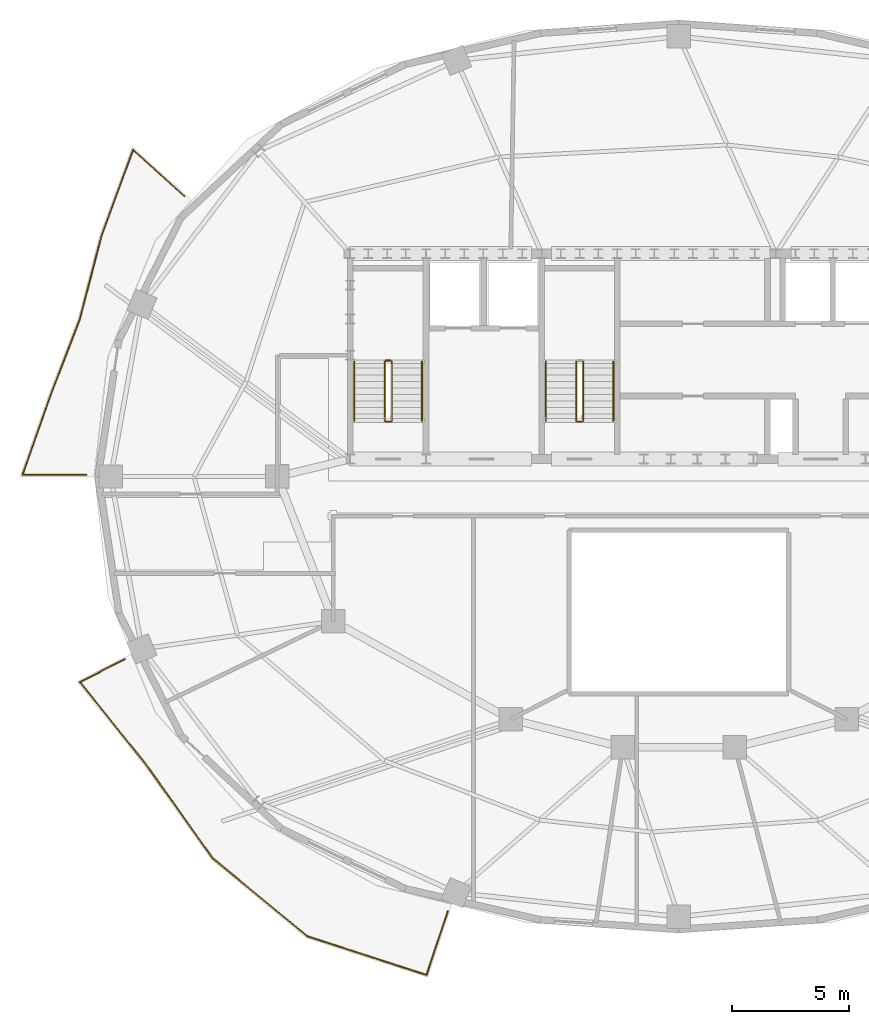
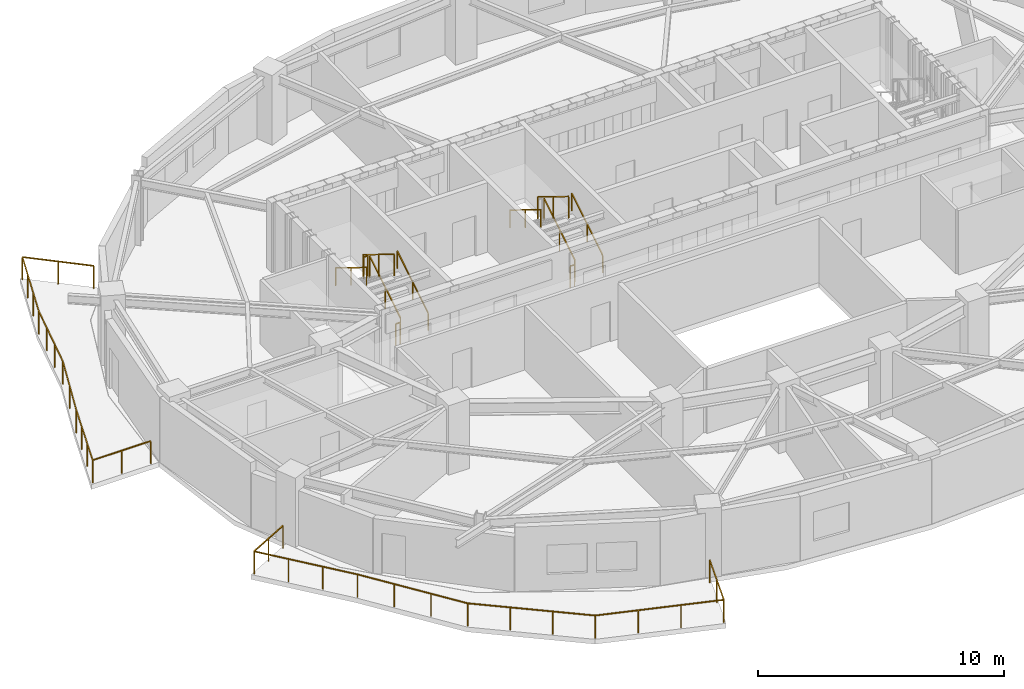
# One storey, part 6 of 9: 13 railings.
"""IFC4 building model written with IfcOpenShell, lengths in metres."""

from ifc_helpers import new_model, si_unit, direction, frame, origin, origin_2d, place, context, subcontext, project, spatial, rectangle, extrude, material, type_object, element, save


model = new_model("IFC4")

# Units and contexts
model_context = context("Model", 3, precision=1e-05, world=origin(), true_north=direction((0.0, 1.0)))
body_context = subcontext(model_context, "Body", "Model", "MODEL_VIEW")
ifc_project = project(units=[si_unit("LENGTHUNIT", "METRE"), si_unit("AREAUNIT", "SQUARE_METRE"), si_unit("VOLUMEUNIT", "CUBIC_METRE"), si_unit("PLANEANGLEUNIT", "RADIAN"), si_unit("MASSUNIT", "GRAM", prefix="KILO")], contexts=[model_context])

# Site, building, storey
site_placement = place(None, origin())
site = spatial("IfcSite", under=ifc_project, at=site_placement, CompositionType="ELEMENT")
building_placement = place(site_placement, origin())
building = spatial("IfcBuilding", under=site, at=building_placement, Name="Haldorwick Loom Tower", CompositionType="ELEMENT")
storey_placement = place(building_placement, frame((0.0, 0.0, 252.300048828125)))
storey = spatial("IfcBuildingStorey", under=building, at=storey_placement, Name="L68", CompositionType="ELEMENT", Elevation=252.300048828125)

# Railings
ifc_material_1 = material(Name="Galvanized Steel CSA G40.21 350W", Category="steel")
railing_type_1 = type_object("IfcRailingType", Name="ARC-RLG-BAL115", PredefinedType="BALUSTRADE", material=ifc_material_1)
railing_1_placement = place(storey_placement, frame((26.098876953125, 7.369384765625, 0.0)))
element("IfcRailing", 1, at=railing_1_placement, inside=storey, type_object=railing_type_1, Name="L68 Outdoor Terrace Guardrail SLB-L68-BAL_SW-1", PredefinedType="BALUSTRADE", context=body_context, shape_type="SweptSolid", body=[
    extrude(rectangle(XDim=0.048095703125, YDim=0.048095703125, at=origin_2d()), frame((0.0, 0.0, 1.1259765625), z_axis=(-0.316840445478, -0.948478851693, 0.0), x_axis=(0.948478851693, -0.316840445478, 0.0)), (0.0, 0.0, 1.0), 2.86865234375),
    extrude(rectangle(XDim=0.048095703125, YDim=0.048095703125, at=origin_2d()), frame((-0.908935546875, -2.720947265625, 1.1259765625), z_axis=(-0.95121198091, 0.308538113325, 0.0), x_axis=(-0.308538113325, -0.95121198091, 0.0)), (0.0, 0.0, 1.0), 5.360107421875),
    extrude(rectangle(XDim=0.048095703125, YDim=0.048095703125, at=origin_2d()), frame((-6.007568359375, -1.067138671875, 1.1259765625), z_axis=(-0.771891379057, 0.635754432889, 0.0), x_axis=(-0.635754432889, -0.771891379057, 0.0)), (0.0, 0.0, 1.0), 5.259765625),
    extrude(rectangle(XDim=0.048095703125, YDim=0.048095703125, at=origin_2d()), frame((-10.067626953125, 2.27685546875, 1.1259765625), z_axis=(-0.579388740846, 0.815051340089, 0.0), x_axis=(-0.815051340089, -0.579388740846, 0.0)), (0.0, 0.0, 1.0), 4.9365234375),
    extrude(rectangle(XDim=0.048095703125, YDim=0.048095703125, at=origin_2d()), frame((-12.927734375, 6.30029296875, 1.1259765625), z_axis=(-0.591363663628, 0.806404995856, 0.0), x_axis=(-0.806404995856, -0.591363663628, 0.0)), (0.0, 0.0, 1.0), 0.004638671875),
    extrude(rectangle(XDim=0.048095703125, YDim=0.048095703125, at=origin_2d()), frame((-12.930419921875, 6.303955078125, 1.1259765625), z_axis=(-0.62589540011, 0.779907012484, 0.0), x_axis=(-0.779907012484, -0.62589540011, 0.0)), (0.0, 0.0, 1.0), 4.511474609375),
    extrude(rectangle(XDim=0.048095703125, YDim=0.048095703125, at=origin_2d()), frame((-15.754150390625, 9.822509765625, 1.1259765625), z_axis=(0.890008764947, 0.455943415697, 0.0), x_axis=(-0.455943415697, 0.890008764947, 0.0)), (0.0, 0.0, 1.0), 2.164794921875),
    extrude(rectangle(XDim=0.0419921875, YDim=0.0419921875, at=origin_2d()), origin(), (0.0, 0.0, 1.0), 1.101806640625),
    extrude(rectangle(XDim=0.0419921875, YDim=0.0419921875, at=origin_2d()), frame((-0.45458984375, -1.3603515625, 0.0)), (0.0, 0.0, 1.0), 1.101806640625),
    extrude(rectangle(XDim=0.0419921875, YDim=0.0419921875, at=origin_2d()), frame((-0.908935546875, -2.720947265625, 0.0)), (0.0, 0.0, 1.0), 1.101806640625),
    extrude(rectangle(XDim=0.0419921875, YDim=0.0419921875, at=origin_2d()), frame((-2.6083984375, -2.169677734375, 0.0)), (0.0, 0.0, 1.0), 1.101806640625),
    extrude(rectangle(XDim=0.0419921875, YDim=0.0419921875, at=origin_2d()), frame((-4.30810546875, -1.618408203125, 0.0)), (0.0, 0.0, 1.0), 1.101806640625),
    extrude(rectangle(XDim=0.0419921875, YDim=0.0419921875, at=origin_2d()), frame((-6.007568359375, -1.067138671875, 0.0)), (0.0, 0.0, 1.0), 1.101806640625),
    extrude(rectangle(XDim=0.0419921875, YDim=0.0419921875, at=origin_2d()), frame((-7.36083984375, 0.047607421875, 0.0)), (0.0, 0.0, 1.0), 1.101806640625),
    extrude(rectangle(XDim=0.0419921875, YDim=0.0419921875, at=origin_2d()), frame((-8.71435546875, 1.162109375, 0.0)), (0.0, 0.0, 1.0), 1.101806640625),
    extrude(rectangle(XDim=0.0419921875, YDim=0.0419921875, at=origin_2d()), frame((-10.067626953125, 2.27685546875, 0.0)), (0.0, 0.0, 1.0), 1.101806640625),
    extrude(rectangle(XDim=0.0419921875, YDim=0.0419921875, at=origin_2d()), frame((-11.02099609375, 3.617919921875, 0.0)), (0.0, 0.0, 1.0), 1.101806640625),
    extrude(rectangle(XDim=0.0419921875, YDim=0.0419921875, at=origin_2d()), frame((-11.974365234375, 4.959228515625, 0.0)), (0.0, 0.0, 1.0), 1.101806640625),
    extrude(rectangle(XDim=0.0419921875, YDim=0.0419921875, at=origin_2d()), frame((-12.927734375, 6.30029296875, 0.0)), (0.0, 0.0, 1.0), 1.101806640625),
    extrude(rectangle(XDim=0.0419921875, YDim=0.0419921875, at=origin_2d()), frame((-13.87158203125, 7.476806640625, 0.0)), (0.0, 0.0, 1.0), 1.101806640625),
    extrude(rectangle(XDim=0.0419921875, YDim=0.0419921875, at=origin_2d()), frame((-14.81298828125, 8.649658203125, 0.0)), (0.0, 0.0, 1.0), 1.101806640625),
    extrude(rectangle(XDim=0.0419921875, YDim=0.0419921875, at=origin_2d()), frame((-15.754150390625, 9.822509765625, 0.0)), (0.0, 0.0, 1.0), 1.101806640625),
    extrude(rectangle(XDim=0.0419921875, YDim=0.0419921875, at=origin_2d()), frame((-14.790771484375, 10.31591796875, 0.0)), (0.0, 0.0, 1.0), 1.101806640625),
    extrude(rectangle(XDim=0.0419921875, YDim=0.0419921875, at=origin_2d()), frame((-13.827392578125, 10.8095703125, 0.0)), (0.0, 0.0, 1.0), 1.101806640625),
])
railing_2_placement = place(storey_placement, frame((10.6201171875, 26.080078125, 0.0)))
element("IfcRailing", 2, at=railing_2_placement, inside=storey, type_object=railing_type_1, Name="L68 Outdoor Terrace Guardrail SLB-L68-BAL_WNW-1", PredefinedType="BALUSTRADE", context=body_context, shape_type="SweptSolid", body=[
    extrude(rectangle(XDim=0.048095703125, YDim=0.048095703125, at=origin_2d()), frame((0.0, 0.0, 1.1259765625), z_axis=(-1.0, 0.0, 0.0), x_axis=(0.0, -1.0, 0.0)), (0.0, 0.0, 1.0), 2.732421875),
    extrude(rectangle(XDim=0.048095703125, YDim=0.048095703125, at=origin_2d()), frame((-2.732421875, 0.0, 1.1259765625), z_axis=(0.332062355413, 0.943257436821, 0.0), x_axis=(-0.943257436821, 0.332062355413, 0.0)), (0.0, 0.0, 1.0), 3.60693359375),
    extrude(rectangle(XDim=0.048095703125, YDim=0.048095703125, at=origin_2d()), frame((-1.53466796875, 3.40234375, 1.1259765625), z_axis=(0.358470319643, 0.933541123858, 0.0), x_axis=(-0.933541123858, 0.358470319643, 0.0)), (0.0, 0.0, 1.0), 3.50537109375),
    extrude(rectangle(XDim=0.048095703125, YDim=0.048095703125, at=origin_2d()), frame((-0.278076171875, 6.6748046875, 1.1259765625), z_axis=(0.29982659674, 0.953993716901, 0.0), x_axis=(-0.953993716901, 0.29982659674, 0.0)), (0.0, 0.0, 1.0), 0.009033203125),
    extrude(rectangle(XDim=0.048095703125, YDim=0.048095703125, at=origin_2d()), frame((-0.275390625, 6.683349609375, 1.1259765625), z_axis=(0.251875373137, 0.967759679056, 0.0), x_axis=(-0.967759679056, 0.251875373137, 0.0)), (0.0, 0.0, 1.0), 3.673583984375),
    extrude(rectangle(XDim=0.048095703125, YDim=0.048095703125, at=origin_2d()), frame((0.64990234375, 10.238525390625, 1.1259765625), z_axis=(0.344532890116, 0.938774247425, 0.0), x_axis=(-0.938774247425, 0.344532890116, 0.0)), (0.0, 0.0, 1.0), 3.918701171875),
    extrude(rectangle(XDim=0.048095703125, YDim=0.048095703125, at=origin_2d()), frame((2.0, 13.917236328125, 1.1259765625), z_axis=(0.74176749731, -0.670657125463, 0.0), x_axis=(0.670657125463, 0.74176749731, 0.0)), (0.0, 0.0, 1.0), 2.9697265625),
    extrude(rectangle(XDim=0.0419921875, YDim=0.0419921875, at=origin_2d()), origin(), (0.0, 0.0, 1.0), 1.101806640625),
    extrude(rectangle(XDim=0.0419921875, YDim=0.0419921875, at=origin_2d()), frame((-1.3662109375, 0.0, 0.0)), (0.0, 0.0, 1.0), 1.101806640625),
    extrude(rectangle(XDim=0.0419921875, YDim=0.0419921875, at=origin_2d()), frame((-2.732421875, 0.0, 0.0)), (0.0, 0.0, 1.0), 1.101806640625),
    extrude(rectangle(XDim=0.0419921875, YDim=0.0419921875, at=origin_2d()), frame((-2.333251953125, 1.134033203125, 0.0)), (0.0, 0.0, 1.0), 1.101806640625),
    extrude(rectangle(XDim=0.0419921875, YDim=0.0419921875, at=origin_2d()), frame((-1.933837890625, 2.268310546875, 0.0)), (0.0, 0.0, 1.0), 1.101806640625),
    extrude(rectangle(XDim=0.0419921875, YDim=0.0419921875, at=origin_2d()), frame((-1.53466796875, 3.40234375, 0.0)), (0.0, 0.0, 1.0), 1.101806640625),
    extrude(rectangle(XDim=0.0419921875, YDim=0.0419921875, at=origin_2d()), frame((-0.90625, 5.03857421875, 0.0)), (0.0, 0.0, 1.0), 1.101806640625),
    extrude(rectangle(XDim=0.0419921875, YDim=0.0419921875, at=origin_2d()), frame((-0.278076171875, 6.6748046875, 0.0)), (0.0, 0.0, 1.0), 1.101806640625),
    extrude(rectangle(XDim=0.0419921875, YDim=0.0419921875, at=origin_2d()), frame((0.032958984375, 7.868408203125, 0.0)), (0.0, 0.0, 1.0), 1.101806640625),
    extrude(rectangle(XDim=0.0419921875, YDim=0.0419921875, at=origin_2d()), frame((0.341552734375, 9.053466796875, 0.0)), (0.0, 0.0, 1.0), 1.101806640625),
    extrude(rectangle(XDim=0.0419921875, YDim=0.0419921875, at=origin_2d()), frame((0.64990234375, 10.238525390625, 0.0)), (0.0, 0.0, 1.0), 1.101806640625),
    extrude(rectangle(XDim=0.0419921875, YDim=0.0419921875, at=origin_2d()), frame((1.099853515625, 11.46484375, 0.0)), (0.0, 0.0, 1.0), 1.101806640625),
    extrude(rectangle(XDim=0.0419921875, YDim=0.0419921875, at=origin_2d()), frame((1.550048828125, 12.69091796875, 0.0)), (0.0, 0.0, 1.0), 1.101806640625),
    extrude(rectangle(XDim=0.0419921875, YDim=0.0419921875, at=origin_2d()), frame((2.0, 13.917236328125, 0.0)), (0.0, 0.0, 1.0), 1.101806640625),
    extrude(rectangle(XDim=0.0419921875, YDim=0.0419921875, at=origin_2d()), frame((3.1015625, 12.92138671875, 0.0)), (0.0, 0.0, 1.0), 1.101806640625),
    extrude(rectangle(XDim=0.0419921875, YDim=0.0419921875, at=origin_2d()), frame((4.202880859375, 11.925537109375, 0.0)), (0.0, 0.0, 1.0), 1.101806640625),
])
ifc_material_2 = material(Name="Steel CSA G40.21 350W", Category="steel")
railing_type_2 = type_object("IfcRailingType", Name="ARC-RLG-GUARD112", PredefinedType="GUARDRAIL", material=ifc_material_2)
railing_3_placement = place(storey_placement, frame((23.699951171875, 28.39990234375, 0.17236328125)))
element("IfcRailing", 3, at=railing_3_placement, inside=storey, type_object=railing_type_2, Name="L68 ST-01 stair guard 1", PredefinedType="GUARDRAIL", context=body_context, shape_type="SweptSolid", body=[
    extrude(rectangle(XDim=0.048095703125, YDim=0.048095703125, at=origin_2d()), frame((0.0, 0.0, 1.076171875), z_axis=(0.0, 0.851400495292, 0.524516154772), x_axis=(-1.0, 0.0, 0.0)), (0.0, 0.0, 1.0), 2.9599609375),
    extrude(rectangle(XDim=0.0419921875, YDim=0.0419921875, at=origin_2d()), origin(), (0.0, 0.0, 1.0), 1.052001953125),
    extrude(rectangle(XDim=0.0419921875, YDim=0.0419921875, at=origin_2d()), frame((0.0, 1.260009765625, 0.7763671875)), (0.0, 0.0, 1.0), 1.052001953125),
    extrude(rectangle(XDim=0.0419921875, YDim=0.0419921875, at=origin_2d()), frame((0.0, 2.52001953125, 1.552490234375)), (0.0, 0.0, 1.0), 1.052001953125),
])
railing_4_placement = place(storey_placement, frame((23.64990234375, 30.969970703125, 1.724853515625)))
element("IfcRailing", 4, at=railing_4_placement, inside=storey, type_object=railing_type_2, Name="L68 ST-01 stair guard 2", PredefinedType="GUARDRAIL", context=body_context, shape_type="SweptSolid", body=[
    extrude(rectangle(XDim=0.048095703125, YDim=0.048095703125, at=origin_2d()), frame((0.0, 0.0, 1.076171875), z_axis=(-1.0, 0.0, 0.0), x_axis=(0.0, -1.0, 0.0)), (0.0, 0.0, 1.0), 0.199951171875),
    extrude(rectangle(XDim=0.0419921875, YDim=0.0419921875, at=origin_2d()), origin(), (0.0, 0.0, 1.0), 1.052001953125),
    extrude(rectangle(XDim=0.0419921875, YDim=0.0419921875, at=origin_2d()), frame((-0.199951171875, 0.0, 0.0)), (0.0, 0.0, 1.0), 1.052001953125),
])
railing_5_placement = place(storey_placement, frame((23.39990234375, 30.919921875, 1.8974609375)))
element("IfcRailing", 5, at=railing_5_placement, inside=storey, type_object=railing_type_2, Name="L68 ST-01 stair guard 3", PredefinedType="GUARDRAIL", context=body_context, shape_type="SweptSolid", body=[
    extrude(rectangle(XDim=0.048095703125, YDim=0.048095703125, at=origin_2d()), frame((0.0, 0.0, 1.076171875), z_axis=(0.0, -0.851400495292, 0.524516154772), x_axis=(1.0, 0.0, 0.0)), (0.0, 0.0, 1.0), 2.9599609375),
    extrude(rectangle(XDim=0.0419921875, YDim=0.0419921875, at=origin_2d()), origin(), (0.0, 0.0, 1.0), 1.052001953125),
    extrude(rectangle(XDim=0.0419921875, YDim=0.0419921875, at=origin_2d()), frame((0.0, -1.260009765625, 0.7763671875)), (0.0, 0.0, 1.0), 1.052001953125),
    extrude(rectangle(XDim=0.0419921875, YDim=0.0419921875, at=origin_2d()), frame((0.0, -2.52001953125, 1.552490234375)), (0.0, 0.0, 1.0), 1.052001953125),
])
railing_6_placement = place(storey_placement, frame((23.64990234375, 28.35009765625, 0.0)))
element("IfcRailing", 6, at=railing_6_placement, inside=storey, type_object=railing_type_2, Name="L68 ST-01 stair guard 4", PredefinedType="GUARDRAIL", context=body_context, shape_type="SweptSolid", body=[
    extrude(rectangle(XDim=0.048095703125, YDim=0.048095703125, at=origin_2d()), frame((0.0, 0.0, 1.076171875), z_axis=(-1.0, 0.0, 0.0), x_axis=(0.0, -1.0, 0.0)), (0.0, 0.0, 1.0), 0.199951171875),
    extrude(rectangle(XDim=0.0419921875, YDim=0.0419921875, at=origin_2d()), origin(), (0.0, 0.0, 1.0), 1.052001953125),
    extrude(rectangle(XDim=0.0419921875, YDim=0.0419921875, at=origin_2d()), frame((-0.199951171875, 0.0, 0.0)), (0.0, 0.0, 1.0), 1.052001953125),
])
railing_7_placement = place(storey_placement, frame((31.89990234375, 28.39990234375, 0.17236328125)))
element("IfcRailing", 7, at=railing_7_placement, inside=storey, type_object=railing_type_2, Name="L68 ST-03 stair guard 1", PredefinedType="GUARDRAIL", context=body_context, shape_type="SweptSolid", body=[
    extrude(rectangle(XDim=0.048095703125, YDim=0.048095703125, at=origin_2d()), frame((0.0, 0.0, 1.076171875), z_axis=(0.0, 0.851400495292, 0.524516154772), x_axis=(-1.0, 0.0, 0.0)), (0.0, 0.0, 1.0), 2.9599609375),
    extrude(rectangle(XDim=0.0419921875, YDim=0.0419921875, at=origin_2d()), origin(), (0.0, 0.0, 1.0), 1.052001953125),
    extrude(rectangle(XDim=0.0419921875, YDim=0.0419921875, at=origin_2d()), frame((0.0, 1.260009765625, 0.7763671875)), (0.0, 0.0, 1.0), 1.052001953125),
    extrude(rectangle(XDim=0.0419921875, YDim=0.0419921875, at=origin_2d()), frame((0.0, 2.52001953125, 1.552490234375)), (0.0, 0.0, 1.0), 1.052001953125),
])
railing_8_placement = place(storey_placement, frame((31.60009765625, 30.919921875, 1.8974609375)))
element("IfcRailing", 8, at=railing_8_placement, inside=storey, type_object=railing_type_2, Name="L68 ST-03 stair guard 3", PredefinedType="GUARDRAIL", context=body_context, shape_type="SweptSolid", body=[
    extrude(rectangle(XDim=0.048095703125, YDim=0.048095703125, at=origin_2d()), frame((0.0, 0.0, 1.076171875), z_axis=(0.0, -0.851400495292, 0.524516154772), x_axis=(1.0, 0.0, 0.0)), (0.0, 0.0, 1.0), 2.9599609375),
    extrude(rectangle(XDim=0.0419921875, YDim=0.0419921875, at=origin_2d()), origin(), (0.0, 0.0, 1.0), 1.052001953125),
    extrude(rectangle(XDim=0.0419921875, YDim=0.0419921875, at=origin_2d()), frame((0.0, -1.260009765625, 0.7763671875)), (0.0, 0.0, 1.0), 1.052001953125),
    extrude(rectangle(XDim=0.0419921875, YDim=0.0419921875, at=origin_2d()), frame((0.0, -2.52001953125, 1.552490234375)), (0.0, 0.0, 1.0), 1.052001953125),
])
railing_9_placement = place(storey_placement, frame((31.85009765625, 28.35009765625, 0.0)))
element("IfcRailing", 9, at=railing_9_placement, inside=storey, type_object=railing_type_2, Name="L68 ST-03 stair guard 4", PredefinedType="GUARDRAIL", context=body_context, shape_type="SweptSolid", body=[
    extrude(rectangle(XDim=0.048095703125, YDim=0.048095703125, at=origin_2d()), frame((0.0, 0.0, 1.076171875), z_axis=(-1.0, 0.0, 0.0), x_axis=(0.0, -1.0, 0.0)), (0.0, 0.0, 1.0), 0.2001953125),
    extrude(rectangle(XDim=0.0419921875, YDim=0.0419921875, at=origin_2d()), origin(), (0.0, 0.0, 1.0), 1.052001953125),
    extrude(rectangle(XDim=0.0419921875, YDim=0.0419921875, at=origin_2d()), frame((-0.2001953125, 0.0, 0.0)), (0.0, 0.0, 1.0), 1.052001953125),
])
railing_type_3 = type_object("IfcRailingType", Name="ARC-RLG-HAND092", PredefinedType="HANDRAIL", material=ifc_material_2)
railing_10_placement = place(storey_placement, frame((25.0, 28.39990234375, 0.17236328125)))
element("IfcRailing", 10, at=railing_10_placement, inside=storey, type_object=railing_type_3, Name="L68 ST-01 stair handrail 1", PredefinedType="HANDRAIL", context=body_context, shape_type="SweptSolid", body=[
    extrude(rectangle(XDim=0.048095703125, YDim=0.048095703125, at=origin_2d()), frame((0.0, 0.0, 0.8759765625), z_axis=(0.0, 0.851400495292, 0.524516154772), x_axis=(-1.0, 0.0, 0.0)), (0.0, 0.0, 1.0), 2.9599609375),
    extrude(rectangle(XDim=0.0419921875, YDim=0.0419921875, at=origin_2d()), origin(), (0.0, 0.0, 1.0), 0.851806640625),
    extrude(rectangle(XDim=0.0419921875, YDim=0.0419921875, at=origin_2d()), frame((0.0, 1.260009765625, 0.7763671875)), (0.0, 0.0, 1.0), 0.851806640625),
    extrude(rectangle(XDim=0.0419921875, YDim=0.0419921875, at=origin_2d()), frame((0.0, 2.52001953125, 1.552490234375)), (0.0, 0.0, 1.0), 0.851806640625),
])
railing_11_placement = place(storey_placement, frame((22.10009765625, 30.919921875, 1.8974609375)))
element("IfcRailing", 11, at=railing_11_placement, inside=storey, type_object=railing_type_3, Name="L68 ST-01 stair handrail 2", PredefinedType="HANDRAIL", context=body_context, shape_type="SweptSolid", body=[
    extrude(rectangle(XDim=0.048095703125, YDim=0.048095703125, at=origin_2d()), frame((0.0, 0.0, 0.8759765625), z_axis=(0.0, -0.851400495292, 0.524516154772), x_axis=(1.0, 0.0, 0.0)), (0.0, 0.0, 1.0), 2.9599609375),
    extrude(rectangle(XDim=0.0419921875, YDim=0.0419921875, at=origin_2d()), origin(), (0.0, 0.0, 1.0), 0.851806640625),
    extrude(rectangle(XDim=0.0419921875, YDim=0.0419921875, at=origin_2d()), frame((0.0, -1.260009765625, 0.7763671875)), (0.0, 0.0, 1.0), 0.851806640625),
    extrude(rectangle(XDim=0.0419921875, YDim=0.0419921875, at=origin_2d()), frame((0.0, -2.52001953125, 1.552490234375)), (0.0, 0.0, 1.0), 0.851806640625),
])
railing_12_placement = place(storey_placement, frame((33.199951171875, 28.39990234375, 0.17236328125)))
element("IfcRailing", 12, at=railing_12_placement, inside=storey, type_object=railing_type_3, Name="L68 ST-03 stair handrail 1", PredefinedType="HANDRAIL", context=body_context, shape_type="SweptSolid", body=[
    extrude(rectangle(XDim=0.048095703125, YDim=0.048095703125, at=origin_2d()), frame((0.0, 0.0, 0.8759765625), z_axis=(0.0, 0.851400495292, 0.524516154772), x_axis=(-1.0, 0.0, 0.0)), (0.0, 0.0, 1.0), 2.9599609375),
    extrude(rectangle(XDim=0.0419921875, YDim=0.0419921875, at=origin_2d()), origin(), (0.0, 0.0, 1.0), 0.851806640625),
    extrude(rectangle(XDim=0.0419921875, YDim=0.0419921875, at=origin_2d()), frame((0.0, 1.260009765625, 0.7763671875)), (0.0, 0.0, 1.0), 0.851806640625),
    extrude(rectangle(XDim=0.0419921875, YDim=0.0419921875, at=origin_2d()), frame((0.0, 2.52001953125, 1.552490234375)), (0.0, 0.0, 1.0), 0.851806640625),
])
railing_13_placement = place(storey_placement, frame((30.300048828125, 30.919921875, 1.8974609375)))
element("IfcRailing", 13, at=railing_13_placement, inside=storey, type_object=railing_type_3, Name="L68 ST-03 stair handrail 2", PredefinedType="HANDRAIL", context=body_context, shape_type="SweptSolid", body=[
    extrude(rectangle(XDim=0.048095703125, YDim=0.048095703125, at=origin_2d()), frame((0.0, 0.0, 0.8759765625), z_axis=(0.0, -0.851400495292, 0.524516154772), x_axis=(1.0, 0.0, 0.0)), (0.0, 0.0, 1.0), 2.9599609375),
    extrude(rectangle(XDim=0.0419921875, YDim=0.0419921875, at=origin_2d()), origin(), (0.0, 0.0, 1.0), 0.851806640625),
    extrude(rectangle(XDim=0.0419921875, YDim=0.0419921875, at=origin_2d()), frame((0.0, -1.260009765625, 0.7763671875)), (0.0, 0.0, 1.0), 0.851806640625),
    extrude(rectangle(XDim=0.0419921875, YDim=0.0419921875, at=origin_2d()), frame((0.0, -2.52001953125, 1.552490234375)), (0.0, 0.0, 1.0), 0.851806640625),
])

save(model, "model.ifc")
